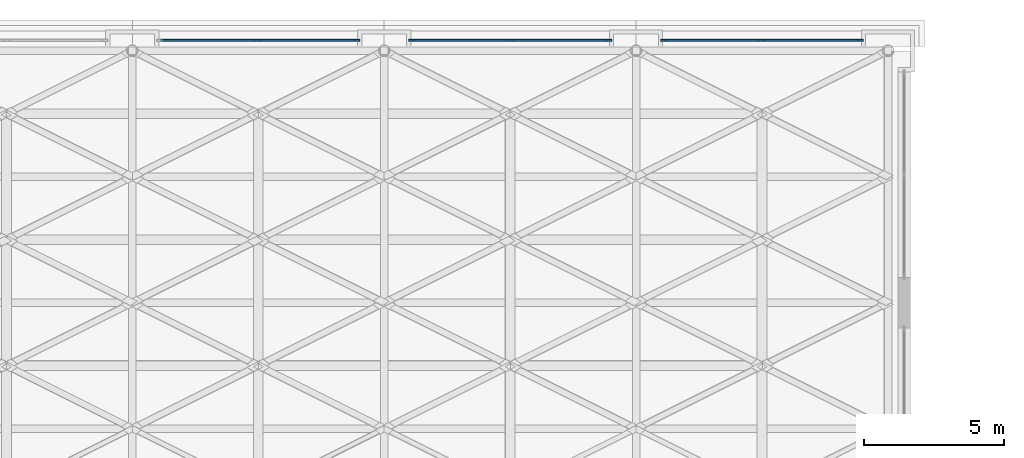
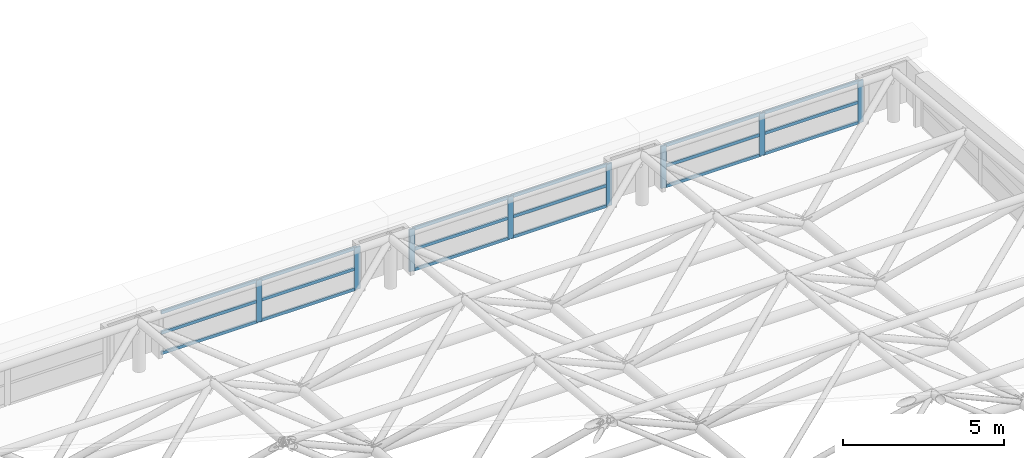
# One storey, part 22 of 53: 26 members, 3 elements without a shape of their own.
"""IFC4 building model written with IfcOpenShell, lengths in metres."""

from ifc_helpers import new_model, si_unit, direction, frame, origin, origin_2d, place, context, subcontext, project, spatial, rectangle, extrude, material, material_profile, profile_set, type_object, element, aggregate, save


model = new_model("IFC4")

# Units and contexts
model_context = context("Model", 3, precision=1e-05, world=origin(), true_north=direction((0.0, 1.0)))
body_context = subcontext(model_context, "Body", "Model", "MODEL_VIEW")
ifc_project = project(units=[si_unit("LENGTHUNIT", "METRE"), si_unit("AREAUNIT", "SQUARE_METRE"), si_unit("VOLUMEUNIT", "CUBIC_METRE"), si_unit("PLANEANGLEUNIT", "RADIAN"), si_unit("MASSUNIT", "GRAM", prefix="KILO")], contexts=[model_context])

# Site, building, storey
site_placement = place(None, origin())
site = spatial("IfcSite", under=ifc_project, at=site_placement, CompositionType="ELEMENT")
building_placement = place(site_placement, origin())
building = spatial("IfcBuilding", under=site, at=building_placement, Name="Aravalli Gate Trade Fair Centre", CompositionType="ELEMENT")
storey_placement = place(building_placement, frame((0.0, 0.0, 25.199951171875)))
storey = spatial("IfcBuildingStorey", under=building, at=storey_placement, Name="ROOF LEVEL 2", CompositionType="ELEMENT", Elevation=25.199951171875)

# Curtain wall, members
ifc_material_1 = material(Name="Aluminium, glass and louvre", Category="aluminium")
curtain_wall_type = type_object("IfcCurtainWallType", Name="Hall crown curtain wall 3000 module", PredefinedType="NOTDEFINED", material=ifc_material_1)
curtain_wall_1_placement = place(storey_placement, origin())
curtain_wall_1 = element("IfcCurtainWall", 1, at=curtain_wall_1_placement, inside=storey, type_object=curtain_wall_type, Name="Hall north crown curtain wall bay 9 ROOF LEVEL 2", PredefinedType="NOTDEFINED")
ifc_material_2 = material(Name="Aluminium", Category="aluminium")
ifc_material_profile_1 = material_profile(ifc_material_2, rectangle(XDim=0.06005859375, YDim=0.199951171875, at=origin_2d()), Name="Hall curtain wall mullion 60 x 200")
ifc_profile_set_1 = profile_set([ifc_material_profile_1], Name="Aluminium")
member_type_1 = type_object("IfcMemberType", Name="Hall curtain wall mullion 60 x 200", PredefinedType="MULLION", material=ifc_profile_set_1)
member_1_placement = place(storey_placement, frame((82.5, 109.375, 0.0), z_axis=(0.0, 0.0, 1.0), x_axis=(0.0, 1.0, 0.0)))
member_1 = element("IfcMember", 2, at=member_1_placement, type_object=member_type_1, Name="HCW1 mullion 2", PredefinedType="MULLION", context=body_context, shape_type="SweptSolid", body=[
    extrude(rectangle(XDim=0.06005859375, YDim=0.199951171875, at=origin_2d()), origin(), (0.0, 0.0, 1.0), 1.60009765625),
])
member_2_placement = place(storey_placement, frame((86.02001953125, 109.375, 0.0), z_axis=(0.0, 0.0, 1.0), x_axis=(0.0, 1.0, 0.0)))
member_2 = element("IfcMember", 3, at=member_2_placement, type_object=member_type_1, Name="HCW1 mullion 3", PredefinedType="MULLION", context=body_context, shape_type="SweptSolid", body=[
    extrude(rectangle(XDim=0.06005859375, YDim=0.199951171875, at=origin_2d()), origin(), (0.0, 0.0, 1.0), 1.60009765625),
])

curtain_wall_2_placement = place(storey_placement, origin())
curtain_wall_2 = element("IfcCurtainWall", 4, at=curtain_wall_2_placement, inside=storey, type_object=curtain_wall_type, Name="Hall north crown curtain wall bay 10 ROOF LEVEL 2", PredefinedType="NOTDEFINED")
member_3_placement = place(storey_placement, frame((87.97998046875, 109.375, 0.0), z_axis=(0.0, 0.0, 1.0), x_axis=(0.0, 1.0, 0.0)))
member_3 = element("IfcMember", 5, at=member_3_placement, type_object=member_type_1, Name="HCW1 mullion 1", PredefinedType="MULLION", context=body_context, shape_type="SweptSolid", body=[
    extrude(rectangle(XDim=0.06005859375, YDim=0.199951171875, at=origin_2d()), origin(), (0.0, 0.0, 1.0), 1.60009765625),
])
member_4_placement = place(storey_placement, frame((91.5, 109.375, 0.0), z_axis=(0.0, 0.0, 1.0), x_axis=(0.0, 1.0, 0.0)))
member_4 = element("IfcMember", 6, at=member_4_placement, type_object=member_type_1, Name="HCW1 mullion 2", PredefinedType="MULLION", context=body_context, shape_type="SweptSolid", body=[
    extrude(rectangle(XDim=0.06005859375, YDim=0.199951171875, at=origin_2d()), origin(), (0.0, 0.0, 1.0), 1.60009765625),
])
member_5_placement = place(storey_placement, frame((95.02001953125, 109.375, 0.0), z_axis=(0.0, 0.0, 1.0), x_axis=(0.0, 1.0, 0.0)))
member_5 = element("IfcMember", 7, at=member_5_placement, type_object=member_type_1, Name="HCW1 mullion 3", PredefinedType="MULLION", context=body_context, shape_type="SweptSolid", body=[
    extrude(rectangle(XDim=0.06005859375, YDim=0.199951171875, at=origin_2d()), origin(), (0.0, 0.0, 1.0), 1.60009765625),
])

curtain_wall_3_placement = place(storey_placement, origin())
curtain_wall_3 = element("IfcCurtainWall", 8, at=curtain_wall_3_placement, inside=storey, type_object=curtain_wall_type, Name="Hall north crown curtain wall bay 11 ROOF LEVEL 2", PredefinedType="NOTDEFINED")
member_6_placement = place(storey_placement, frame((96.97998046875, 109.375, 0.0), z_axis=(0.0, 0.0, 1.0), x_axis=(0.0, 1.0, 0.0)))
member_6 = element("IfcMember", 9, at=member_6_placement, type_object=member_type_1, Name="HCW1 mullion 1", PredefinedType="MULLION", context=body_context, shape_type="SweptSolid", body=[
    extrude(rectangle(XDim=0.06005859375, YDim=0.199951171875, at=origin_2d()), origin(), (0.0, 0.0, 1.0), 1.60009765625),
])
member_7_placement = place(storey_placement, frame((100.5, 109.375, 0.0), z_axis=(0.0, 0.0, 1.0), x_axis=(0.0, 1.0, 0.0)))
member_7 = element("IfcMember", 10, at=member_7_placement, type_object=member_type_1, Name="HCW1 mullion 2", PredefinedType="MULLION", context=body_context, shape_type="SweptSolid", body=[
    extrude(rectangle(XDim=0.06005859375, YDim=0.199951171875, at=origin_2d()), origin(), (0.0, 0.0, 1.0), 1.60009765625),
])
member_8_placement = place(storey_placement, frame((104.02001953125, 109.375, 0.0), z_axis=(0.0, 0.0, 1.0), x_axis=(0.0, 1.0, 0.0)))
member_8 = element("IfcMember", 11, at=member_8_placement, type_object=member_type_1, Name="HCW1 mullion 3", PredefinedType="MULLION", context=body_context, shape_type="SweptSolid", body=[
    extrude(rectangle(XDim=0.06005859375, YDim=0.199951171875, at=origin_2d()), origin(), (0.0, 0.0, 1.0), 1.60009765625),
])

# Member
ifc_material_profile_2 = material_profile(ifc_material_2, rectangle(XDim=0.06005859375, YDim=0.1201171875, at=origin_2d()), Name="Hall curtain wall transom 60 x 120")
ifc_profile_set_2 = profile_set([ifc_material_profile_2], Name="Aluminium")
member_type_2 = type_object("IfcMemberType", Name="Hall curtain wall transom 60 x 120", PredefinedType="USERDEFINED", material=ifc_profile_set_2)
member_9_placement = place(storey_placement, frame((79.010009765625, 109.375, 0.030029296875), z_axis=(1.0, 0.0, 0.0), x_axis=(0.0, 1.0, 0.0)))
member_9 = element("IfcMember", 12, at=member_9_placement, type_object=member_type_2, Name="HCW1 transom 1.1", ObjectType="TRANSOM", PredefinedType="USERDEFINED", context=body_context, shape_type="SweptSolid", body=[
    extrude(rectangle(XDim=0.06005859375, YDim=0.1201171875, at=origin_2d()), origin(), (0.0, 0.0, 1.0), 3.4599609375),
])

member_10_placement = place(storey_placement, frame((79.010009765625, 109.375, 0.800048828125), z_axis=(1.0, 0.0, 0.0), x_axis=(0.0, 1.0, 0.0)))
member_10 = element("IfcMember", 13, at=member_10_placement, type_object=member_type_2, Name="HCW1 transom 1.2", ObjectType="TRANSOM", PredefinedType="USERDEFINED", context=body_context, shape_type="SweptSolid", body=[
    extrude(rectangle(XDim=0.06005859375, YDim=0.1201171875, at=origin_2d()), origin(), (0.0, 0.0, 1.0), 3.4599609375),
])

member_11_placement = place(storey_placement, frame((79.010009765625, 109.375, 1.570068359375), z_axis=(1.0, 0.0, 0.0), x_axis=(0.0, 1.0, 0.0)))
member_11 = element("IfcMember", 14, at=member_11_placement, type_object=member_type_2, Name="HCW1 transom 1.3", ObjectType="TRANSOM", PredefinedType="USERDEFINED", context=body_context, shape_type="SweptSolid", body=[
    extrude(rectangle(XDim=0.06005859375, YDim=0.1201171875, at=origin_2d()), origin(), (0.0, 0.0, 1.0), 3.4599609375),
])

member_12_placement = place(storey_placement, frame((82.530029296875, 109.375, 0.030029296875), z_axis=(1.0, 0.0, 0.0), x_axis=(0.0, 1.0, 0.0)))
member_12 = element("IfcMember", 15, at=member_12_placement, type_object=member_type_2, Name="HCW1 transom 2.1", ObjectType="TRANSOM", PredefinedType="USERDEFINED", context=body_context, shape_type="SweptSolid", body=[
    extrude(rectangle(XDim=0.06005859375, YDim=0.1201171875, at=origin_2d()), origin(), (0.0, 0.0, 1.0), 3.4599609375),
])

member_13_placement = place(storey_placement, frame((82.530029296875, 109.375, 0.800048828125), z_axis=(1.0, 0.0, 0.0), x_axis=(0.0, 1.0, 0.0)))
member_13 = element("IfcMember", 16, at=member_13_placement, type_object=member_type_2, Name="HCW1 transom 2.2", ObjectType="TRANSOM", PredefinedType="USERDEFINED", context=body_context, shape_type="SweptSolid", body=[
    extrude(rectangle(XDim=0.06005859375, YDim=0.1201171875, at=origin_2d()), origin(), (0.0, 0.0, 1.0), 3.4599609375),
])

member_14_placement = place(storey_placement, frame((82.530029296875, 109.375, 1.570068359375), z_axis=(1.0, 0.0, 0.0), x_axis=(0.0, 1.0, 0.0)))
member_14 = element("IfcMember", 17, at=member_14_placement, type_object=member_type_2, Name="HCW1 transom 2.3", ObjectType="TRANSOM", PredefinedType="USERDEFINED", context=body_context, shape_type="SweptSolid", body=[
    extrude(rectangle(XDim=0.06005859375, YDim=0.1201171875, at=origin_2d()), origin(), (0.0, 0.0, 1.0), 3.4599609375),
])

aggregate(curtain_wall_1, [member_1, member_2, member_9, member_10, member_11, member_12, member_13, member_14])

member_15_placement = place(storey_placement, frame((88.010009765625, 109.375, 0.030029296875), z_axis=(1.0, 0.0, 0.0), x_axis=(0.0, 1.0, 0.0)))
member_15 = element("IfcMember", 18, at=member_15_placement, type_object=member_type_2, Name="HCW1 transom 1.1", ObjectType="TRANSOM", PredefinedType="USERDEFINED", context=body_context, shape_type="SweptSolid", body=[
    extrude(rectangle(XDim=0.06005859375, YDim=0.1201171875, at=origin_2d()), origin(), (0.0, 0.0, 1.0), 3.4599609375),
])

member_16_placement = place(storey_placement, frame((88.010009765625, 109.375, 0.800048828125), z_axis=(1.0, 0.0, 0.0), x_axis=(0.0, 1.0, 0.0)))
member_16 = element("IfcMember", 19, at=member_16_placement, type_object=member_type_2, Name="HCW1 transom 1.2", ObjectType="TRANSOM", PredefinedType="USERDEFINED", context=body_context, shape_type="SweptSolid", body=[
    extrude(rectangle(XDim=0.06005859375, YDim=0.1201171875, at=origin_2d()), origin(), (0.0, 0.0, 1.0), 3.4599609375),
])

member_17_placement = place(storey_placement, frame((88.010009765625, 109.375, 1.570068359375), z_axis=(1.0, 0.0, 0.0), x_axis=(0.0, 1.0, 0.0)))
member_17 = element("IfcMember", 20, at=member_17_placement, type_object=member_type_2, Name="HCW1 transom 1.3", ObjectType="TRANSOM", PredefinedType="USERDEFINED", context=body_context, shape_type="SweptSolid", body=[
    extrude(rectangle(XDim=0.06005859375, YDim=0.1201171875, at=origin_2d()), origin(), (0.0, 0.0, 1.0), 3.4599609375),
])

member_18_placement = place(storey_placement, frame((91.530029296875, 109.375, 0.030029296875), z_axis=(1.0, 0.0, 0.0), x_axis=(0.0, 1.0, 0.0)))
member_18 = element("IfcMember", 21, at=member_18_placement, type_object=member_type_2, Name="HCW1 transom 2.1", ObjectType="TRANSOM", PredefinedType="USERDEFINED", context=body_context, shape_type="SweptSolid", body=[
    extrude(rectangle(XDim=0.06005859375, YDim=0.1201171875, at=origin_2d()), origin(), (0.0, 0.0, 1.0), 3.4599609375),
])

member_19_placement = place(storey_placement, frame((91.530029296875, 109.375, 0.800048828125), z_axis=(1.0, 0.0, 0.0), x_axis=(0.0, 1.0, 0.0)))
member_19 = element("IfcMember", 22, at=member_19_placement, type_object=member_type_2, Name="HCW1 transom 2.2", ObjectType="TRANSOM", PredefinedType="USERDEFINED", context=body_context, shape_type="SweptSolid", body=[
    extrude(rectangle(XDim=0.06005859375, YDim=0.1201171875, at=origin_2d()), origin(), (0.0, 0.0, 1.0), 3.4599609375),
])

member_20_placement = place(storey_placement, frame((91.530029296875, 109.375, 1.570068359375), z_axis=(1.0, 0.0, 0.0), x_axis=(0.0, 1.0, 0.0)))
member_20 = element("IfcMember", 23, at=member_20_placement, type_object=member_type_2, Name="HCW1 transom 2.3", ObjectType="TRANSOM", PredefinedType="USERDEFINED", context=body_context, shape_type="SweptSolid", body=[
    extrude(rectangle(XDim=0.06005859375, YDim=0.1201171875, at=origin_2d()), origin(), (0.0, 0.0, 1.0), 3.4599609375),
])

aggregate(curtain_wall_2, [member_3, member_4, member_5, member_15, member_16, member_17, member_18, member_19, member_20])

member_21_placement = place(storey_placement, frame((97.010009765625, 109.375, 0.030029296875), z_axis=(1.0, 0.0, 0.0), x_axis=(0.0, 1.0, 0.0)))
member_21 = element("IfcMember", 24, at=member_21_placement, type_object=member_type_2, Name="HCW1 transom 1.1", ObjectType="TRANSOM", PredefinedType="USERDEFINED", context=body_context, shape_type="SweptSolid", body=[
    extrude(rectangle(XDim=0.06005859375, YDim=0.1201171875, at=origin_2d()), origin(), (0.0, 0.0, 1.0), 3.4599609375),
])

member_22_placement = place(storey_placement, frame((97.010009765625, 109.375, 0.800048828125), z_axis=(1.0, 0.0, 0.0), x_axis=(0.0, 1.0, 0.0)))
member_22 = element("IfcMember", 25, at=member_22_placement, type_object=member_type_2, Name="HCW1 transom 1.2", ObjectType="TRANSOM", PredefinedType="USERDEFINED", context=body_context, shape_type="SweptSolid", body=[
    extrude(rectangle(XDim=0.06005859375, YDim=0.1201171875, at=origin_2d()), origin(), (0.0, 0.0, 1.0), 3.4599609375),
])

member_23_placement = place(storey_placement, frame((97.010009765625, 109.375, 1.570068359375), z_axis=(1.0, 0.0, 0.0), x_axis=(0.0, 1.0, 0.0)))
member_23 = element("IfcMember", 26, at=member_23_placement, type_object=member_type_2, Name="HCW1 transom 1.3", ObjectType="TRANSOM", PredefinedType="USERDEFINED", context=body_context, shape_type="SweptSolid", body=[
    extrude(rectangle(XDim=0.06005859375, YDim=0.1201171875, at=origin_2d()), origin(), (0.0, 0.0, 1.0), 3.4599609375),
])

member_24_placement = place(storey_placement, frame((100.530029296875, 109.375, 0.030029296875), z_axis=(1.0, 0.0, 0.0), x_axis=(0.0, 1.0, 0.0)))
member_24 = element("IfcMember", 27, at=member_24_placement, type_object=member_type_2, Name="HCW1 transom 2.1", ObjectType="TRANSOM", PredefinedType="USERDEFINED", context=body_context, shape_type="SweptSolid", body=[
    extrude(rectangle(XDim=0.06005859375, YDim=0.1201171875, at=origin_2d()), origin(), (0.0, 0.0, 1.0), 3.4599609375),
])

member_25_placement = place(storey_placement, frame((100.530029296875, 109.375, 0.800048828125), z_axis=(1.0, 0.0, 0.0), x_axis=(0.0, 1.0, 0.0)))
member_25 = element("IfcMember", 28, at=member_25_placement, type_object=member_type_2, Name="HCW1 transom 2.2", ObjectType="TRANSOM", PredefinedType="USERDEFINED", context=body_context, shape_type="SweptSolid", body=[
    extrude(rectangle(XDim=0.06005859375, YDim=0.1201171875, at=origin_2d()), origin(), (0.0, 0.0, 1.0), 3.4599609375),
])

member_26_placement = place(storey_placement, frame((100.530029296875, 109.375, 1.570068359375), z_axis=(1.0, 0.0, 0.0), x_axis=(0.0, 1.0, 0.0)))
member_26 = element("IfcMember", 29, at=member_26_placement, type_object=member_type_2, Name="HCW1 transom 2.3", ObjectType="TRANSOM", PredefinedType="USERDEFINED", context=body_context, shape_type="SweptSolid", body=[
    extrude(rectangle(XDim=0.06005859375, YDim=0.1201171875, at=origin_2d()), origin(), (0.0, 0.0, 1.0), 3.4599609375),
])

aggregate(curtain_wall_3, [member_6, member_7, member_8, member_21, member_22, member_23, member_24, member_25, member_26])

save(model, "model.ifc")
